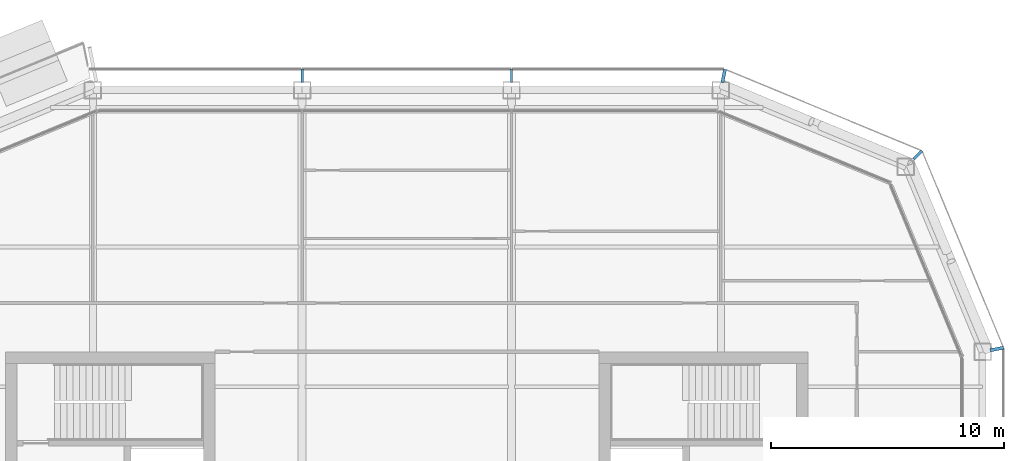
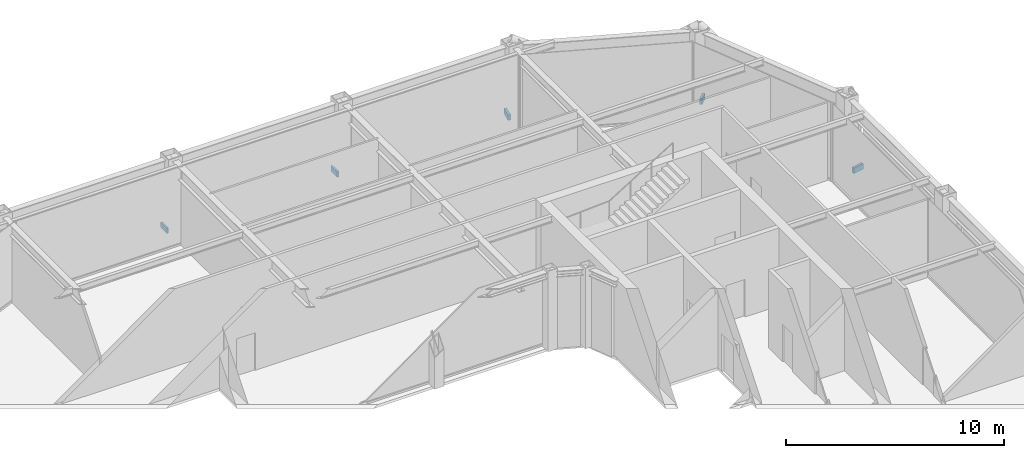
# One storey, part 16 of 21: 5 discrete accessories.
"""IFC4 building model written with IfcOpenShell, lengths in metres."""

from ifc_helpers import new_model, si_unit, direction, frame, origin, origin_2d, place, context, subcontext, project, spatial, rectangle, extrude, material, type_object, element, save


model = new_model("IFC4")

# Units and contexts
model_context = context("Model", 3, precision=1e-05, world=origin(), true_north=direction((0.0, 1.0)))
body_context = subcontext(model_context, "Body", "Model", "MODEL_VIEW")
ifc_project = project(units=[si_unit("LENGTHUNIT", "METRE"), si_unit("AREAUNIT", "SQUARE_METRE"), si_unit("VOLUMEUNIT", "CUBIC_METRE"), si_unit("PLANEANGLEUNIT", "RADIAN"), si_unit("MASSUNIT", "GRAM", prefix="KILO")], contexts=[model_context])

# Site, building, storey
site_placement = place(None, origin())
site = spatial("IfcSite", under=ifc_project, at=site_placement, CompositionType="ELEMENT")
building_placement = place(site_placement, origin())
building = spatial("IfcBuilding", under=site, at=building_placement, Name="Siwar Civic Tower", CompositionType="ELEMENT")
storey_placement = place(building_placement, frame((0.0, 0.0, 312.199951171875)))
storey = spatial("IfcBuildingStorey", under=building, at=storey_placement, Name="L67", CompositionType="ELEMENT", Elevation=312.199951171875)

# Discrete accessories
ifc_material = material(Name="Stainless steel 316", Category="steel")
discrete_accessory_type = type_object("IfcDiscreteAccessoryType", Name="ENV-BRACKET", PredefinedType="BRACKET", material=ifc_material)
for number, where, z_axis, x_axis, name in (
    (1, (4.5, 25.364990234375, -0.14990234375), (0.0, 0.0, 1.0), (0.0, 1.0, 0.0), "Bracket outer skin joint N-01"),
    (2, (-4.5, 25.364990234375, -0.14990234375), (0.0, 0.0, 1.0), (0.0, 1.0, 0.0), "Bracket outer skin joint N-02"),
):
    element("IfcDiscreteAccessory", number, at=place(storey_placement, frame(where, z_axis=z_axis, x_axis=x_axis)), inside=storey, type_object=discrete_accessory_type, Name=name, PredefinedType="BRACKET", context=body_context, shape_type="SweptSolid", body=[
        extrude(rectangle(XDim=0.570068359375, YDim=0.10009765625, at=origin_2d()), origin(), (0.0, 0.0, 1.0), 0.300048828125),
    ])
discrete_accessory_1_placement = place(storey_placement, frame((25.365234375, 13.622314453125, -0.14990234375), z_axis=(0.0, 0.0, 1.0), x_axis=(0.980785280403, 0.195090322016, 0.0)))
element("IfcDiscreteAccessory", 3, at=discrete_accessory_1_placement, inside=storey, type_object=discrete_accessory_type, Name="Bracket outer skin joint V04", PredefinedType="BRACKET", context=body_context, shape_type="SweptSolid", body=[
    extrude(rectangle(XDim=0.580810546875, YDim=0.13720703125, at=origin_2d()), origin(), (0.0, 0.0, 1.0), 0.300048828125),
])
discrete_accessory_2_placement = place(storey_placement, frame((21.96728515625, 21.96728515625, -0.14990234375), z_axis=(0.0, 0.0, 1.0), x_axis=(0.707106781187, 0.707106781187, 0.0)))
element("IfcDiscreteAccessory", 4, at=discrete_accessory_2_placement, inside=storey, type_object=discrete_accessory_type, Name="Bracket outer skin joint V05", PredefinedType="BRACKET", context=body_context, shape_type="SweptSolid", body=[
    extrude(rectangle(XDim=0.499267578125, YDim=0.12939453125, at=origin_2d()), origin(), (0.0, 0.0, 1.0), 0.300048828125),
])
discrete_accessory_3_placement = place(storey_placement, frame((13.622314453125, 25.365234375, -0.14990234375), z_axis=(0.0, 0.0, 1.0), x_axis=(0.195090322016, 0.980785280403, 0.0)))
element("IfcDiscreteAccessory", 5, at=discrete_accessory_3_placement, inside=storey, type_object=discrete_accessory_type, Name="Bracket outer skin joint V06", PredefinedType="BRACKET", context=body_context, shape_type="SweptSolid", body=[
    extrude(rectangle(XDim=0.580810546875, YDim=0.13720703125, at=origin_2d()), origin(), (0.0, 0.0, 1.0), 0.300048828125),
])

save(model, "model.ifc")
